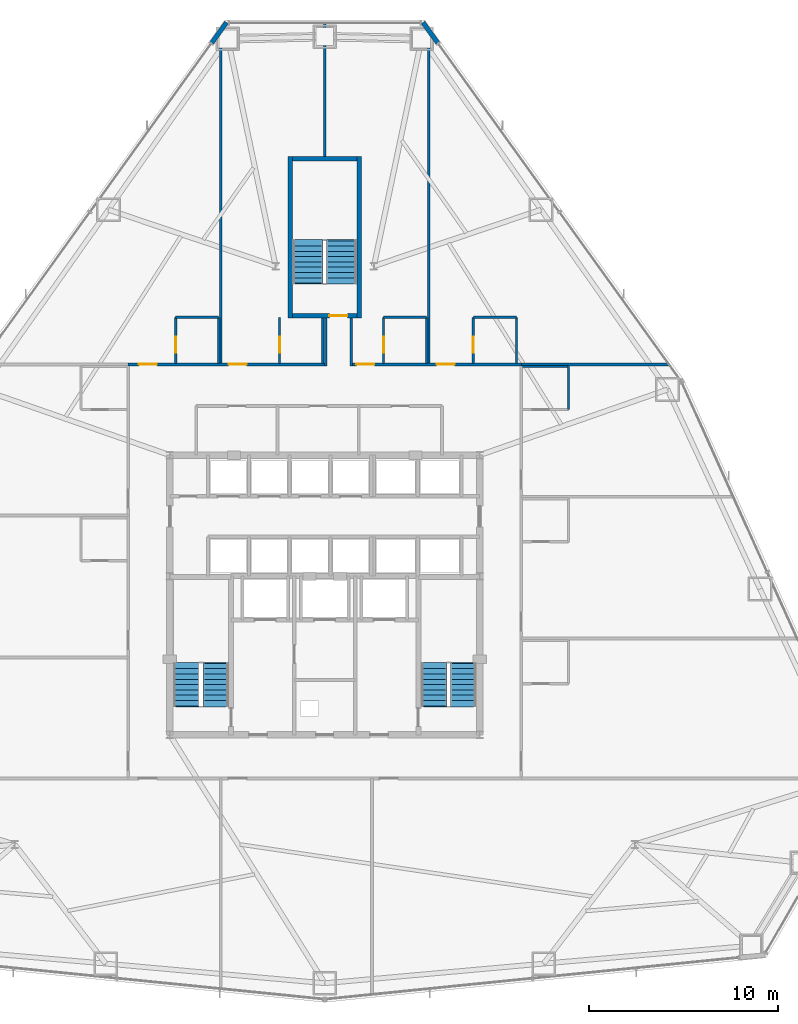
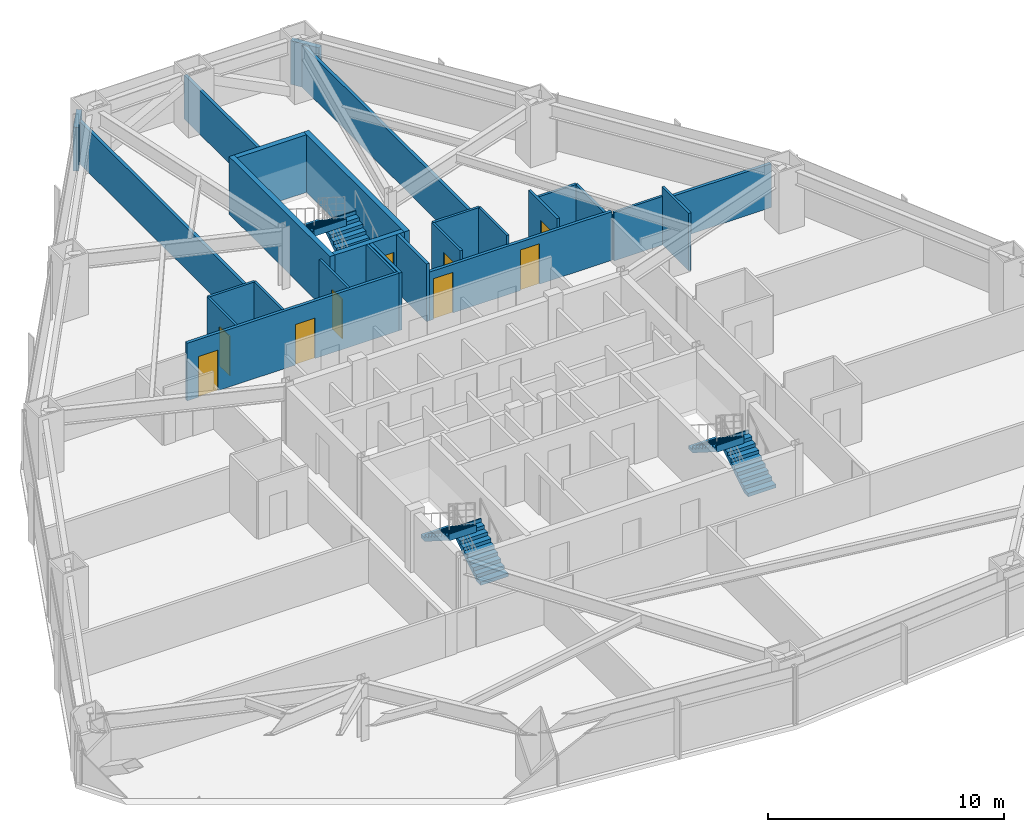
# One storey, part 11 of 12: 27 walls, 9 doors, 6 stair flights, 9 openings, 3 elements without a shape of their own.
"""IFC4 building model written with IfcOpenShell, lengths in metres."""

import ifcopenshell
import ifcopenshell.guid

model = None  # the IFC model being written
_history = None  # IfcOwnerHistory: only IFC2X3 demands one
_inside = {}  # id of a spatial element -> (the spatial element, [elements in it])
_under = {}  # id of a project, library or spatial element -> (it, [spatial elements below it])
_declared = {}  # id of a project -> (the project, [libraries it declares])
_typed = {}  # id of a type object -> (the type object, [elements of that type])
_made_of = {}  # id of a material, layer set ... -> (it, [elements and type objects made of it])


def new_model(schema):
    """Start an empty IFC model of exactly this schema.

    Asked for "IFC4X3", IfcOpenShell would pick the latest addendum, in which some entities
    have other attributes; the version numbers below select the first issue.
    IFC2X3 requires an IfcOwnerHistory on every rooted entity: one is made here for all.
    """
    global model, _history
    if schema == "IFC4X3":
        model = ifcopenshell.file(schema_version=(4, 3, 0, 0))
    else:
        model = ifcopenshell.file(schema=schema)
    _inside.clear()
    _under.clear()
    _declared.clear()
    _typed.clear()
    _made_of.clear()
    _history = None
    if model.schema == "IFC2X3":
        org = make("IfcOrganization", Name="unknown")
        user = make(
            "IfcPersonAndOrganization",
            ThePerson=make("IfcPerson", FamilyName="unknown"),
            TheOrganization=org,
        )
        app = make(
            "IfcApplication",
            ApplicationDeveloper=org,
            Version="unknown",
            ApplicationFullName="unknown",
            ApplicationIdentifier="unknown",
        )
        _history = make(
            "IfcOwnerHistory",
            OwningUser=user,
            OwningApplication=app,
            ChangeAction="ADDED",
            CreationDate=0,
        )
    return model


def make(cls, **values):
    """One entity of the class cls with the attributes given. An attribute that is None is left unset."""
    return model.create_entity(
        cls, **{name: value for name, value in values.items() if value is not None}
    )


def rooted(cls, **values):
    """An entity with a GlobalId (a new one), such as an element, a storey or a relation."""
    return make(cls, GlobalId=ifcopenshell.guid.new(), OwnerHistory=_history, **values)


def si_unit(unit_type, name, prefix=None):
    """IfcSIUnit, for example si_unit("LENGTHUNIT", "METRE", prefix="MILLI")."""
    return make("IfcSIUnit", UnitType=unit_type, Prefix=prefix, Name=name)


def assignment(units):
    """IfcUnitAssignment: the units of a project."""
    return None if units is None else make("IfcUnitAssignment", Units=units)


def point(xyz):
    """IfcCartesianPoint."""
    return None if xyz is None else make("IfcCartesianPoint", Coordinates=xyz)


def direction(xyz):
    """IfcDirection."""
    return None if xyz is None else make("IfcDirection", DirectionRatios=xyz)


def frame(location, z_axis=None, x_axis=None):
    """IfcAxis2Placement3D, a coordinate frame: its origin and axes. An axis left out is left unset."""
    return make(
        "IfcAxis2Placement3D",
        Location=point(location),
        Axis=direction(z_axis),
        RefDirection=direction(x_axis),
    )


def frame_2d(location, x_axis=None):
    """IfcAxis2Placement2D, a coordinate frame in the plane: its origin and x axis."""
    return make(
        "IfcAxis2Placement2D", Location=point(location), RefDirection=direction(x_axis)
    )


def origin():
    """The frame at (0, 0, 0) with its axes left unset."""
    return frame((0.0, 0.0, 0.0))


def place(relative_to, where):
    """IfcLocalPlacement: puts the frame where relative to a parent placement (None: the world)."""
    return make(
        "IfcLocalPlacement", PlacementRelTo=relative_to, RelativePlacement=where
    )


def context(
    kind, dimensions, precision=None, world=None, true_north=None, identifier=None
):
    """IfcGeometricRepresentationContext, for example the 3D "Model" context."""
    return make(
        "IfcGeometricRepresentationContext",
        ContextIdentifier=identifier,
        ContextType=kind,
        CoordinateSpaceDimension=dimensions,
        Precision=precision,
        WorldCoordinateSystem=world,
        TrueNorth=true_north,
    )


def subcontext(parent, identifier, kind, view, scale=None):
    """IfcGeometricRepresentationSubContext, for example "Body" below "Model"."""
    return make(
        "IfcGeometricRepresentationSubContext",
        ContextIdentifier=identifier,
        ContextType=kind,
        ParentContext=parent,
        TargetScale=scale,
        TargetView=view,
    )


def project(units=None, contexts=None):
    """IfcProject with its units and contexts."""
    return rooted(
        "IfcProject",
        Name="project",
        RepresentationContexts=contexts,
        UnitsInContext=assignment(units),
    )


def spatial(cls, under=None, at=None, **own):
    """A site, building, storey or space (cls), placed at a placement, below another one or the project."""
    s = rooted(cls, ObjectPlacement=at, **own)
    if under is not None:
        _under.setdefault(under.id(), (under, []))[1].append(s)
    return s


def polyline(points):
    """IfcPolyline through the points."""
    return make("IfcPolyline", Points=[point(p) for p in points])


def profile(cls, at=None, kind="AREA", **sizes):
    """A parametric profile (cls). Its sizes go by their IFC names, for example OverallWidth=200.0."""
    return make(cls, ProfileType=kind, Position=at, **sizes)


def rectangle(**sizes):
    """IfcRectangleProfileDef."""
    return profile("IfcRectangleProfileDef", **sizes)


def outline(outer, holes=None, kind="AREA"):
    """IfcArbitraryClosedProfileDef: a profile drawn as a closed curve; with holes, ...WithVoids."""
    if holes is None:
        return make("IfcArbitraryClosedProfileDef", ProfileType=kind, OuterCurve=outer)
    return make(
        "IfcArbitraryProfileDefWithVoids",
        ProfileType=kind,
        OuterCurve=outer,
        InnerCurves=holes,
    )


def extrude(swept, where, along, depth):
    """IfcExtrudedAreaSolid: the profile swept, set in the frame where, extruded along a direction by depth."""
    return make(
        "IfcExtrudedAreaSolid",
        SweptArea=swept,
        Position=where,
        ExtrudedDirection=direction(along),
        Depth=depth,
    )


def shape(context_of_items, identifier, shape_type, items):
    """IfcShapeRepresentation: the items that make up one representation, for example the "Body"."""
    return make(
        "IfcShapeRepresentation",
        ContextOfItems=context_of_items,
        RepresentationIdentifier=identifier,
        RepresentationType=shape_type,
        Items=items,
    )


def material(Name=None, Category=None):
    """IfcMaterial."""
    return make("IfcMaterial", Name=Name, Category=Category)


def layer(
    of_material, thickness, ventilated=None, Name=None, Category=None, Priority=None
):
    """IfcMaterialLayer: one layer of a wall or slab, of a material (None: an air gap)."""
    return make(
        "IfcMaterialLayer",
        Material=of_material,
        LayerThickness=thickness,
        IsVentilated=ventilated,
        Name=Name,
        Category=Category,
        Priority=Priority,
    )


def layer_set(layers, Name=None):
    """IfcMaterialLayerSet."""
    return make("IfcMaterialLayerSet", MaterialLayers=layers, LayerSetName=Name)


def made_of(thing, what):
    """Note that an element or type object is made of a material, layer set ...; save() writes the relation."""
    if what is not None:
        _made_of.setdefault(what.id(), (what, []))[1].append(thing)
    return thing


def type_object(cls, material=None, **own):
    """A type object (cls), such as IfcWallType, which elements share."""
    return made_of(rooted(cls, **own), material)


def element(
    cls,
    number,
    at=None,
    inside=None,
    cuts=None,
    type_object=None,
    material=None,
    context=None,
    identifier="Body",
    shape_type=None,
    held_by="IfcProductDefinitionShape",
    body=None,
    shapes=None,
    **own,
):
    """One element of the class cls, such as IfcWall. Its Tag is "e" and its number.

    at: its placement. inside: the storey or other place that contains it. cuts: it is an
    opening in that element (IfcRelVoidsElement). A single representation is given by context,
    identifier, shape_type and body (its items); several are given by shapes. held_by: the class
    of the entity that holds the representations. save() writes the other relations.
    """
    e = rooted(cls, Tag="e%d" % number, ObjectPlacement=at, **own)
    if body is not None:
        shapes = [shape(context, identifier, shape_type, body)]
    if shapes is not None:
        e.Representation = make(held_by, Representations=shapes)
    if inside is not None:
        _inside.setdefault(inside.id(), (inside, []))[1].append(e)
    if cuts is not None:
        rooted(
            "IfcRelVoidsElement", RelatingBuildingElement=cuts, RelatedOpeningElement=e
        )
    if type_object is not None:
        _typed.setdefault(type_object.id(), (type_object, []))[1].append(e)
    return made_of(e, material)


def fill(opening, filler):
    """IfcRelFillsElement: the door or window that sits in an opening."""
    return rooted(
        "IfcRelFillsElement",
        RelatingOpeningElement=opening,
        RelatedBuildingElement=filler,
    )


def aggregate(whole, parts):
    """IfcRelAggregates: a whole, such as a stair, and the parts it consists of."""
    return rooted("IfcRelAggregates", RelatingObject=whole, RelatedObjects=parts)


def save(model, path):
    """Write the relations noted so far, then the file.

    IfcRelAggregates (storeys below a building ...), IfcRelContainedInSpatialStructure (elements
    in a storey), IfcRelDefinesByType, IfcRelAssociatesMaterial and IfcRelDeclares: one each for
    every whole, place, type object, material and project.
    """
    for whole, parts in _under.values():
        aggregate(whole, parts)
    for where, things in _inside.values():
        rooted(
            "IfcRelContainedInSpatialStructure",
            RelatedElements=things,
            RelatingStructure=where,
        )
    for kind, things in _typed.values():
        rooted("IfcRelDefinesByType", RelatedObjects=things, RelatingType=kind)
    for what, things in _made_of.values():
        rooted("IfcRelAssociatesMaterial", RelatedObjects=things, RelatingMaterial=what)
    for by, libraries in _declared.values():
        rooted("IfcRelDeclares", RelatingContext=by, RelatedDefinitions=libraries)
    model.write(path)


model = new_model("IFC4")

# Units and contexts
model_context = context("Model", 3, precision=1e-05, world=origin(), true_north=direction((0.0, 1.0)))
body_context = subcontext(model_context, "Body", "Model", "MODEL_VIEW")
ifc_project = project(units=[si_unit("LENGTHUNIT", "METRE"), si_unit("AREAUNIT", "SQUARE_METRE"), si_unit("VOLUMEUNIT", "CUBIC_METRE"), si_unit("PLANEANGLEUNIT", "RADIAN"), si_unit("MASSUNIT", "GRAM", prefix="KILO")], contexts=[model_context])

# Site, building, storey
site_placement = place(None, origin())
site = spatial("IfcSite", under=ifc_project, at=site_placement, CompositionType="ELEMENT")
building_placement = place(site_placement, origin())
building = spatial("IfcBuilding", under=site, at=building_placement, Name="Varakhsha Concourse Tower", CompositionType="ELEMENT")
storey_placement = place(building_placement, frame((0.0, 0.0, 33.60009765625)))
storey = spatial("IfcBuildingStorey", under=building, at=storey_placement, Name="L08", CompositionType="ELEMENT", Elevation=33.60009765625)

# Walls
ifc_material_1 = material(Name="Concrete fc 45 MPa", Category="concrete")
ifc_layer_1 = layer(ifc_material_1, 0.239990234375, Name="WL-EXT-CRN-240")
ifc_layer_set_1 = layer_set([ifc_layer_1], Name="Concrete fc 45 MPa")
wall_type_1 = type_object("IfcWallType", Name="WL-EXT-CRN-240", PredefinedType="SHEAR", material=ifc_layer_set_1)
for number, where, z_axis, x_axis, name in (
    (1, (34.8017578125, 54.087646484375, 0.0), (0.0, 0.0, 1.0), (-0.584193864266, -0.811614150292, 0.0), "L08 Wind-Corner Shoulder Wall F2"),
    (2, (45.977783203125, 53.004638671875, 0.0), (0.0, 0.0, 1.0), (-0.584193864266, 0.811614150292, 0.0), "L08 Wind-Corner Shoulder Wall F9"),
):
    element("IfcWall", number, at=place(storey_placement, frame(where, z_axis=z_axis, x_axis=x_axis)), inside=storey, type_object=wall_type_1, Name=name, PredefinedType="SHEAR", context=body_context, shape_type="SweptSolid", body=[
        extrude(rectangle(XDim=1.33447265625, YDim=0.239990234375, at=frame_2d((0.667236328125, 0.0))), origin(), (0.0, 0.0, 1.0), 2.262939453125),
    ])
ifc_material_2 = material(Name="Acoustic Gypsum Board Partition Assembly", Category="gypsum")
ifc_layer_2 = layer(ifc_material_2, 0.1201171875, Name="WL-PART-120")
ifc_layer_set_2 = layer_set([ifc_layer_2], Name="Acoustic Gypsum Board Partition Assembly")
wall_type_2 = type_object("IfcWallType", Name="WL-PART-120", PredefinedType="PARTITIONING", material=ifc_layer_set_2)
wall_1_placement = place(storey_placement, frame((52.889892578125, 33.610107421875, 0.0), z_axis=(0.0, 0.0, 1.0), x_axis=(0.0, 1.0, 0.0)))
element("IfcWall", 3, at=wall_1_placement, inside=storey, type_object=wall_type_2, Name="L08 Wall ENSW-E-L08-H09", PredefinedType="PARTITIONING", context=body_context, shape_type="SweptSolid", body=[
    extrude(rectangle(XDim=2.27978515625, YDim=0.1201171875, at=frame_2d((1.139892578125, 0.0))), origin(), (0.0, 0.0, 1.0), 2.97998046875),
])
wall_2_placement = place(storey_placement, frame((50.4599609375, 35.889892578125, 0.0), z_axis=(0.0, 0.0, 1.0), x_axis=(1.0, 0.0, 0.0)))
element("IfcWall", 4, at=wall_2_placement, inside=storey, type_object=wall_type_2, Name="L08 Wall ENSW-N-L08-H09", PredefinedType="PARTITIONING", context=body_context, shape_type="SweptSolid", body=[
    extrude(rectangle(XDim=2.429931640625, YDim=0.1201171875, at=frame_2d((1.21484375, 0.0))), origin(), (0.0, 0.0, 1.0), 2.512939453125),
])

# Wall, opening, door
wall_3_placement = place(storey_placement, frame((32.110107421875, 36.06005859375, 0.0), z_axis=(0.0, 0.0, 1.0), x_axis=(0.0, 1.0, 0.0)))
wall_3 = element("IfcWall", 5, at=wall_3_placement, inside=storey, type_object=wall_type_2, Name="L08 Wall ENSW-W-L08-H10", PredefinedType="PARTITIONING", context=body_context, shape_type="SweptSolid", body=[
    extrude(rectangle(XDim=2.429931640625, YDim=0.1201171875, at=frame_2d((1.21484375, 0.0))), origin(), (0.0, 0.0, 1.0), 2.97998046875),
])
opening_1_placement = place(wall_3_placement, frame((0.550048828125, 0.0, 0.0)))
opening_1 = element("IfcOpeningElement", 6, at=opening_1_placement, cuts=wall_3, Name="Opening DI-01", PredefinedType="OPENING", context=body_context, shape_type="SweptSolid", body=[
    extrude(rectangle(XDim=0.85009765625, YDim=2.050048828125, at=frame_2d((0.425048828125, 1.02490234375))), frame((0.0, 0.070068359375, 0.0), z_axis=(0.0, -1.0, 0.0), x_axis=(1.0, 0.0, 0.0)), (0.0, 0.0, 1.0), 0.14013671875),
])
ifc_material_3 = material(Name="Architectural Walnut Acoustic Timber Door", Category="wood")
door_type_1 = type_object("IfcDoorType", Name="DR-INT-850", OperationType="NOTDEFINED", PredefinedType="DOOR", material=ifc_material_3)
door_1_placement = place(opening_1_placement, origin())
door_1 = element("IfcDoor", 7, at=door_1_placement, inside=storey, type_object=door_type_1, Name="L08 En-suite Bathroom Door L08-H10", OperationType="SINGLE_SWING_RIGHT", OverallHeight=2.050048828125, OverallWidth=0.85009765625, PredefinedType="DOOR", context=body_context, shape_type="SweptSolid", body=[
    extrude(rectangle(XDim=0.85009765625, YDim=2.050048828125, at=frame_2d((0.425048828125, 1.02490234375))), frame((0.0, 0.02490234375, 0.0), z_axis=(0.0, -1.0, 0.0), x_axis=(1.0, 0.0, 0.0)), (0.0, 0.0, 1.0), 0.050048828125),
])
fill(opening_1, door_1)

# Walls
wall_4_placement = place(storey_placement, frame((34.389892578125, 36.06005859375, 0.0), z_axis=(0.0, 0.0, 1.0), x_axis=(0.0, 1.0, 0.0)))
element("IfcWall", 8, at=wall_4_placement, inside=storey, type_object=wall_type_2, Name="L08 Wall ENSW-E-L08-H10", PredefinedType="PARTITIONING", context=body_context, shape_type="SweptSolid", body=[
    extrude(rectangle(XDim=2.429931640625, YDim=0.1201171875, at=frame_2d((1.21484375, 0.0))), origin(), (0.0, 0.0, 1.0), 2.97998046875),
])
wall_5_placement = place(storey_placement, frame((32.110107421875, 38.489990234375, 0.0), z_axis=(0.0, 0.0, 1.0), x_axis=(1.0, 0.0, 0.0)))
element("IfcWall", 9, at=wall_5_placement, inside=storey, type_object=wall_type_2, Name="L08 Wall ENSW-N-L08-H10", PredefinedType="PARTITIONING", context=body_context, shape_type="SweptSolid", body=[
    extrude(rectangle(XDim=2.27978515625, YDim=0.1201171875, at=frame_2d((1.139892578125, 0.0))), origin(), (0.0, 0.0, 1.0), 2.97998046875),
])

# Wall, opening, door
wall_6_placement = place(storey_placement, frame((37.610107421875, 36.06005859375, 0.0), z_axis=(0.0, 0.0, 1.0), x_axis=(0.0, 1.0, 0.0)))
wall_6 = element("IfcWall", 10, at=wall_6_placement, inside=storey, type_object=wall_type_2, Name="L08 Wall ENSW-W-L08-H11", PredefinedType="PARTITIONING", context=body_context, shape_type="SweptSolid", body=[
    extrude(rectangle(XDim=2.429931640625, YDim=0.1201171875, at=frame_2d((1.21484375, 0.0))), origin(), (0.0, 0.0, 1.0), 2.97998046875),
])
opening_2_placement = place(wall_6_placement, frame((0.550048828125, 0.0, 0.0)))
opening_2 = element("IfcOpeningElement", 11, at=opening_2_placement, cuts=wall_6, Name="Opening DI-01", PredefinedType="OPENING", context=body_context, shape_type="SweptSolid", body=[
    extrude(rectangle(XDim=0.85009765625, YDim=2.050048828125, at=frame_2d((0.425048828125, 1.02490234375))), frame((0.0, 0.070068359375, 0.0), z_axis=(0.0, -1.0, 0.0), x_axis=(1.0, 0.0, 0.0)), (0.0, 0.0, 1.0), 0.14013671875),
])
door_2_placement = place(opening_2_placement, origin())
door_2 = element("IfcDoor", 12, at=door_2_placement, inside=storey, type_object=door_type_1, Name="L08 En-suite Bathroom Door L08-H11", OperationType="SINGLE_SWING_RIGHT", OverallHeight=2.050048828125, OverallWidth=0.85009765625, PredefinedType="DOOR", context=body_context, shape_type="SweptSolid", body=[
    extrude(rectangle(XDim=0.85009765625, YDim=2.050048828125, at=frame_2d((0.425048828125, 1.02490234375))), frame((0.0, 0.02490234375, 0.0), z_axis=(0.0, -1.0, 0.0), x_axis=(1.0, 0.0, 0.0)), (0.0, 0.0, 1.0), 0.050048828125),
])
fill(opening_2, door_2)

# Wall
wall_7_placement = place(storey_placement, frame((39.889892578125, 36.06005859375, 0.0), z_axis=(0.0, 0.0, 1.0), x_axis=(0.0, 1.0, 0.0)))
element("IfcWall", 13, at=wall_7_placement, inside=storey, type_object=wall_type_2, Name="L08 Wall ENSW-E-L08-H11", PredefinedType="PARTITIONING", context=body_context, shape_type="SweptSolid", body=[
    extrude(rectangle(XDim=2.389892578125, YDim=0.1201171875, at=frame_2d((1.19482421875, 0.0))), origin(), (0.0, 0.0, 1.0), 2.97998046875),
])

# Wall, opening, door
wall_8_placement = place(storey_placement, frame((43.110107421875, 36.06005859375, 0.0), z_axis=(0.0, 0.0, 1.0), x_axis=(0.0, 1.0, 0.0)))
wall_8 = element("IfcWall", 14, at=wall_8_placement, inside=storey, type_object=wall_type_2, Name="L08 Wall ENSW-W-L08-H12", PredefinedType="PARTITIONING", context=body_context, shape_type="SweptSolid", body=[
    extrude(rectangle(XDim=2.429931640625, YDim=0.1201171875, at=frame_2d((1.21484375, 0.0))), origin(), (0.0, 0.0, 1.0), 2.97998046875),
])
opening_3_placement = place(wall_8_placement, frame((0.550048828125, 0.0, 0.0)))
opening_3 = element("IfcOpeningElement", 15, at=opening_3_placement, cuts=wall_8, Name="Opening DI-01", PredefinedType="OPENING", context=body_context, shape_type="SweptSolid", body=[
    extrude(rectangle(XDim=0.85009765625, YDim=2.050048828125, at=frame_2d((0.425048828125, 1.02490234375))), frame((0.0, 0.070068359375, 0.0), z_axis=(0.0, -1.0, 0.0), x_axis=(1.0, 0.0, 0.0)), (0.0, 0.0, 1.0), 0.14013671875),
])
door_3_placement = place(opening_3_placement, origin())
door_3 = element("IfcDoor", 16, at=door_3_placement, inside=storey, type_object=door_type_1, Name="L08 En-suite Bathroom Door L08-H12", OperationType="SINGLE_SWING_RIGHT", OverallHeight=2.050048828125, OverallWidth=0.85009765625, PredefinedType="DOOR", context=body_context, shape_type="SweptSolid", body=[
    extrude(rectangle(XDim=0.85009765625, YDim=2.050048828125, at=frame_2d((0.425048828125, 1.02490234375))), frame((0.0, 0.02490234375, 0.0), z_axis=(0.0, -1.0, 0.0), x_axis=(1.0, 0.0, 0.0)), (0.0, 0.0, 1.0), 0.050048828125),
])
fill(opening_3, door_3)

# Walls
wall_9_placement = place(storey_placement, frame((45.389892578125, 36.06005859375, 0.0), z_axis=(0.0, 0.0, 1.0), x_axis=(0.0, 1.0, 0.0)))
element("IfcWall", 17, at=wall_9_placement, inside=storey, type_object=wall_type_2, Name="L08 Wall ENSW-E-L08-H12", PredefinedType="PARTITIONING", context=body_context, shape_type="SweptSolid", body=[
    extrude(rectangle(XDim=2.429931640625, YDim=0.1201171875, at=frame_2d((1.21484375, 0.0))), origin(), (0.0, 0.0, 1.0), 2.97998046875),
])
wall_10_placement = place(storey_placement, frame((43.110107421875, 38.489990234375, 0.0), z_axis=(0.0, 0.0, 1.0), x_axis=(1.0, 0.0, 0.0)))
element("IfcWall", 18, at=wall_10_placement, inside=storey, type_object=wall_type_2, Name="L08 Wall ENSW-N-L08-H12", PredefinedType="PARTITIONING", context=body_context, shape_type="SweptSolid", body=[
    extrude(rectangle(XDim=2.27978515625, YDim=0.1201171875, at=frame_2d((1.139892578125, 0.0))), origin(), (0.0, 0.0, 1.0), 2.97998046875),
])

# Wall, opening, door
wall_11_placement = place(storey_placement, frame((47.860107421875, 36.06005859375, 0.0), z_axis=(0.0, 0.0, 1.0), x_axis=(0.0, 1.0, 0.0)))
wall_11 = element("IfcWall", 19, at=wall_11_placement, inside=storey, type_object=wall_type_2, Name="L08 Wall ENSW-W-L08-H13", PredefinedType="PARTITIONING", context=body_context, shape_type="SweptSolid", body=[
    extrude(rectangle(XDim=2.429931640625, YDim=0.1201171875, at=frame_2d((1.21484375, 0.0))), origin(), (0.0, 0.0, 1.0), 2.97998046875),
])
opening_4_placement = place(wall_11_placement, frame((0.550048828125, 0.0, 0.0)))
opening_4 = element("IfcOpeningElement", 20, at=opening_4_placement, cuts=wall_11, Name="Opening DI-01", PredefinedType="OPENING", context=body_context, shape_type="SweptSolid", body=[
    extrude(rectangle(XDim=0.85009765625, YDim=2.050048828125, at=frame_2d((0.425048828125, 1.02490234375))), frame((0.0, 0.070068359375, 0.0), z_axis=(0.0, -1.0, 0.0), x_axis=(1.0, 0.0, 0.0)), (0.0, 0.0, 1.0), 0.14013671875),
])
door_4_placement = place(opening_4_placement, origin())
door_4 = element("IfcDoor", 21, at=door_4_placement, inside=storey, type_object=door_type_1, Name="L08 En-suite Bathroom Door L08-H13", OperationType="SINGLE_SWING_RIGHT", OverallHeight=2.050048828125, OverallWidth=0.85009765625, PredefinedType="DOOR", context=body_context, shape_type="SweptSolid", body=[
    extrude(rectangle(XDim=0.85009765625, YDim=2.050048828125, at=frame_2d((0.425048828125, 1.02490234375))), frame((0.0, 0.02490234375, 0.0), z_axis=(0.0, -1.0, 0.0), x_axis=(1.0, 0.0, 0.0)), (0.0, 0.0, 1.0), 0.050048828125),
])
fill(opening_4, door_4)

# Walls
wall_12_placement = place(storey_placement, frame((50.139892578125, 36.06005859375, 0.0), z_axis=(0.0, 0.0, 1.0), x_axis=(0.0, 1.0, 0.0)))
element("IfcWall", 22, at=wall_12_placement, inside=storey, type_object=wall_type_2, Name="L08 Wall ENSW-E-L08-H13", PredefinedType="PARTITIONING", context=body_context, shape_type="SweptSolid", body=[
    extrude(rectangle(XDim=2.429931640625, YDim=0.1201171875, at=frame_2d((1.21484375, 0.0))), origin(), (0.0, 0.0, 1.0), 2.512939453125),
])
wall_13_placement = place(storey_placement, frame((47.860107421875, 38.489990234375, 0.0), z_axis=(0.0, 0.0, 1.0), x_axis=(1.0, 0.0, 0.0)))
element("IfcWall", 23, at=wall_13_placement, inside=storey, type_object=wall_type_2, Name="L08 Wall ENSW-N-L08-H13", PredefinedType="PARTITIONING", context=body_context, shape_type="SweptSolid", body=[
    extrude(rectangle(XDim=2.27978515625, YDim=0.1201171875, at=frame_2d((1.139892578125, 0.0))), origin(), (0.0, 0.0, 1.0), 2.512939453125),
])

# Wall, openings, doors
ifc_material_4 = material(Name="Fire-Rated Type X Gypsum Partition Assembly", Category="gypsum")
ifc_layer_3 = layer(ifc_material_4, 0.14990234375, Name="WL-PART-150")
ifc_layer_set_3 = layer_set([ifc_layer_3], Name="Fire-Rated Type X Gypsum Partition Assembly")
wall_type_3 = type_object("IfcWallType", Name="WL-PART-150", PredefinedType="PARTITIONING", material=ifc_layer_set_3)
wall_14_placement = place(storey_placement, frame((29.60009765625, 36.0, 0.0), z_axis=(0.0, 0.0, 1.0), x_axis=(1.0, 0.0, 0.0)))
wall_14 = element("IfcWall", 24, at=wall_14_placement, inside=storey, type_object=wall_type_3, Name="L08 Wall CRW-N-L08", PredefinedType="PARTITIONING", context=body_context, shape_type="SweptSolid", body=[
    extrude(rectangle(XDim=10.375, YDim=0.14990234375, at=frame_2d((5.1875, 0.0))), origin(), (0.0, 0.0, 1.0), 2.97998046875),
])
opening_5_placement = place(wall_14_placement, frame((0.570068359375, 0.0, 0.0)))
opening_5 = element("IfcOpeningElement", 25, at=opening_5_placement, cuts=wall_14, Name="Opening DF-05", PredefinedType="OPENING", context=body_context, shape_type="SweptSolid", body=[
    extrude(rectangle(XDim=0.949951171875, YDim=2.10009765625, at=frame_2d((0.47509765625, 1.050048828125))), frame((0.0, 0.0849609375, 0.0), z_axis=(0.0, -1.0, 0.0), x_axis=(1.0, 0.0, 0.0)), (0.0, 0.0, 1.0), 0.169921875),
])
opening_6_placement = place(wall_14_placement, frame((5.320068359375, 0.0, 0.0)))
opening_6 = element("IfcOpeningElement", 26, at=opening_6_placement, cuts=wall_14, Name="Opening DF-05", PredefinedType="OPENING", context=body_context, shape_type="SweptSolid", body=[
    extrude(rectangle(XDim=0.949951171875, YDim=2.10009765625, at=frame_2d((0.47509765625, 1.050048828125))), frame((0.0, 0.0849609375, 0.0), z_axis=(0.0, -1.0, 0.0), x_axis=(1.0, 0.0, 0.0)), (0.0, 0.0, 1.0), 0.169921875),
])
ifc_material_5 = material(Name="Hollow Galvanised Steel Fire Door Assembly", Category="steel")
door_type_2 = type_object("IfcDoorType", Name="DR-FD60-950", OperationType="NOTDEFINED", PredefinedType="DOOR", material=ifc_material_5)
door_5_placement = place(opening_5_placement, origin())
door_5 = element("IfcDoor", 27, at=door_5_placement, inside=storey, type_object=door_type_2, Name="L08 Hotel Corner Suite L08-H10 Entry Door", OperationType="SINGLE_SWING_RIGHT", OverallHeight=2.10009765625, OverallWidth=0.949951171875, PredefinedType="DOOR", context=body_context, shape_type="SweptSolid", body=[
    extrude(rectangle(XDim=0.949951171875, YDim=2.10009765625, at=frame_2d((0.47509765625, 1.050048828125))), frame((0.0, 0.02490234375, 0.0), z_axis=(0.0, -1.0, 0.0), x_axis=(1.0, 0.0, 0.0)), (0.0, 0.0, 1.0), 0.050048828125),
])
fill(opening_5, door_5)
door_6_placement = place(opening_6_placement, origin())
door_6 = element("IfcDoor", 28, at=door_6_placement, inside=storey, type_object=door_type_2, Name="L08 Hotel Corner Suite L08-H11 Entry Door", OperationType="SINGLE_SWING_LEFT", OverallHeight=2.10009765625, OverallWidth=0.949951171875, PredefinedType="DOOR", context=body_context, shape_type="SweptSolid", body=[
    extrude(rectangle(XDim=0.949951171875, YDim=2.10009765625, at=frame_2d((0.47509765625, 1.050048828125))), frame((0.0, 0.02490234375, 0.0), z_axis=(0.0, -1.0, 0.0), x_axis=(1.0, 0.0, 0.0)), (0.0, 0.0, 1.0), 0.050048828125),
])
fill(opening_6, door_6)

wall_15_placement = place(storey_placement, frame((41.47509765625, 36.0, 0.0), z_axis=(0.0, 0.0, 1.0), x_axis=(1.0, 0.0, 0.0)))
wall_15 = element("IfcWall", 29, at=wall_15_placement, inside=storey, type_object=wall_type_3, Name="L08 Wall CRW-N-L08-B", PredefinedType="PARTITIONING", context=body_context, shape_type="SweptSolid", body=[
    extrude(rectangle(XDim=8.9248046875, YDim=0.14990234375, at=frame_2d((4.46240234375, 0.0))), origin(), (0.0, 0.0, 1.0), 2.512939453125),
])
opening_7_placement = place(wall_15_placement, frame((0.199951171875, 0.0, 0.0)))
opening_7 = element("IfcOpeningElement", 30, at=opening_7_placement, cuts=wall_15, Name="Opening DF-05", PredefinedType="OPENING", context=body_context, shape_type="SweptSolid", body=[
    extrude(rectangle(XDim=0.949951171875, YDim=2.10009765625, at=frame_2d((0.47509765625, 1.050048828125))), frame((0.0, 0.0849609375, 0.0), z_axis=(0.0, -1.0, 0.0), x_axis=(1.0, 0.0, 0.0)), (0.0, 0.0, 1.0), 0.169921875),
])
opening_8_placement = place(wall_15_placement, frame((4.445068359375, 0.0, 0.0)))
opening_8 = element("IfcOpeningElement", 31, at=opening_8_placement, cuts=wall_15, Name="Opening DF-05", PredefinedType="OPENING", context=body_context, shape_type="SweptSolid", body=[
    extrude(rectangle(XDim=0.949951171875, YDim=2.10009765625, at=frame_2d((0.47509765625, 1.050048828125))), frame((0.0, 0.0849609375, 0.0), z_axis=(0.0, -1.0, 0.0), x_axis=(1.0, 0.0, 0.0)), (0.0, 0.0, 1.0), 0.169921875),
])
door_7_placement = place(opening_7_placement, origin())
door_7 = element("IfcDoor", 32, at=door_7_placement, inside=storey, type_object=door_type_2, Name="L08 Hotel Corner Suite L08-H12 Entry Door", OperationType="SINGLE_SWING_RIGHT", OverallHeight=2.10009765625, OverallWidth=0.949951171875, PredefinedType="DOOR", context=body_context, shape_type="SweptSolid", body=[
    extrude(rectangle(XDim=0.949951171875, YDim=2.10009765625, at=frame_2d((0.47509765625, 1.050048828125))), frame((0.0, 0.02490234375, 0.0), z_axis=(0.0, -1.0, 0.0), x_axis=(1.0, 0.0, 0.0)), (0.0, 0.0, 1.0), 0.050048828125),
])
fill(opening_7, door_7)
door_8_placement = place(opening_8_placement, origin())
door_8 = element("IfcDoor", 33, at=door_8_placement, inside=storey, type_object=door_type_2, Name="L08 Hotel Corner Suite L08-H13 Entry Door", OperationType="SINGLE_SWING_LEFT", OverallHeight=2.10009765625, OverallWidth=0.949951171875, PredefinedType="DOOR", context=body_context, shape_type="SweptSolid", body=[
    extrude(rectangle(XDim=0.949951171875, YDim=2.10009765625, at=frame_2d((0.47509765625, 1.050048828125))), frame((0.0, 0.02490234375, 0.0), z_axis=(0.0, -1.0, 0.0), x_axis=(1.0, 0.0, 0.0)), (0.0, 0.0, 1.0), 0.050048828125),
])
fill(opening_8, door_8)

# Walls
wall_16_placement = place(storey_placement, frame((50.39990234375, 36.0, 0.0), z_axis=(0.0, 0.0, 1.0), x_axis=(1.0, 0.0, 0.0)))
element("IfcWall", 34, at=wall_16_placement, inside=storey, type_object=wall_type_3, Name="L08 Wall HDIV-EBN-L08", PredefinedType="PARTITIONING", context=body_context, shape_type="SweptSolid", body=[
    extrude(rectangle(XDim=7.814453125, YDim=0.14990234375, at=frame_2d((3.9072265625, 0.0))), origin(), (0.0, 0.0, 1.0), 2.267822265625),
])
wall_17_placement = place(storey_placement, frame((34.5, 36.0, 0.0), z_axis=(0.0, 0.0, 1.0), x_axis=(0.0, 1.0, 0.0)))
element("IfcWall", 35, at=wall_17_placement, inside=storey, type_object=wall_type_3, Name="L08 Wall HDIV-N1-L08", PredefinedType="PARTITIONING", context=body_context, shape_type="SweptSolid", body=[
    extrude(rectangle(XDim=17.659912109375, YDim=0.14990234375, at=frame_2d((8.830078125, 0.0))), origin(), (0.0, 0.0, 1.0), 2.19091796875),
])
wall_18_placement = place(storey_placement, frame((40.0, 47.0, 0.0), z_axis=(0.0, 0.0, 1.0), x_axis=(0.0, 1.0, 0.0)))
element("IfcWall", 36, at=wall_18_placement, inside=storey, type_object=wall_type_3, Name="L08 Wall HDIV-N2-L08", PredefinedType="PARTITIONING", context=body_context, shape_type="SweptSolid", body=[
    extrude(rectangle(XDim=7.05517578125, YDim=0.14990234375, at=frame_2d((3.527587890625, 0.0))), origin(), (0.0, 0.0, 1.0), 2.267822265625),
])
wall_19_placement = place(storey_placement, frame((45.5, 36.0, 0.0), z_axis=(0.0, 0.0, 1.0), x_axis=(0.0, 1.0, 0.0)))
element("IfcWall", 37, at=wall_19_placement, inside=storey, type_object=wall_type_3, Name="L08 Wall HDIV-N3-L08", PredefinedType="PARTITIONING", context=body_context, shape_type="SweptSolid", body=[
    extrude(rectangle(XDim=17.659912109375, YDim=0.14990234375, at=frame_2d((8.830078125, 0.0))), origin(), (0.0, 0.0, 1.0), 2.19091796875),
])
for number, where, z_axis, x_axis, name in (
    (38, (40.050048828125, 35.925048828125, 0.0), (0.0, 0.0, 1.0), (0.0, 1.0, 0.0), "L08 Wall STUB-W-L08"),
    (39, (41.39990234375, 35.925048828125, 0.0), (0.0, 0.0, 1.0), (0.0, 1.0, 0.0), "L08 Wall STUB-E-L08"),
):
    element("IfcWall", number, at=place(storey_placement, frame(where, z_axis=z_axis, x_axis=x_axis)), inside=storey, type_object=wall_type_3, Name=name, PredefinedType="PARTITIONING", context=body_context, shape_type="SweptSolid", body=[
        extrude(rectangle(XDim=2.52490234375, YDim=0.14990234375, at=frame_2d((1.262451171875, 0.0))), origin(), (0.0, 0.0, 1.0), 2.97998046875),
    ])
ifc_layer_4 = layer(ifc_material_1, 0.25, Name="WL-STAIR-250")
ifc_layer_set_4 = layer_set([ifc_layer_4], Name="Concrete fc 45 MPa")
wall_type_4 = type_object("IfcWallType", Name="WL-STAIR-250", PredefinedType="SHEAR", material=ifc_layer_set_4)
for number, where, z_axis, x_axis, name in (
    (40, (38.175048828125, 38.449951171875, 0.0), (0.0, 0.0, 1.0), (0.0, 1.0, 0.0), "L08 Wall SWALL-ST5-W-L08"),
    (41, (41.824951171875, 38.449951171875, 0.0), (0.0, 0.0, 1.0), (0.0, 1.0, 0.0), "L08 Wall SWALL-ST5-E-L08"),
):
    element("IfcWall", number, at=place(storey_placement, frame(where, z_axis=z_axis, x_axis=x_axis)), inside=storey, type_object=wall_type_4, Name=name, PredefinedType="SHEAR", context=body_context, shape_type="SweptSolid", body=[
        extrude(rectangle(XDim=8.550048828125, YDim=0.25, at=frame_2d((4.27490234375, 0.0))), origin(), (0.0, 0.0, 1.0), 2.97998046875),
    ])

# Wall, opening, door
wall_20_placement = place(storey_placement, frame((38.300048828125, 38.574951171875, 0.0), z_axis=(0.0, 0.0, 1.0), x_axis=(1.0, 0.0, 0.0)))
wall_20 = element("IfcWall", 42, at=wall_20_placement, inside=storey, type_object=wall_type_4, Name="L08 Wall SWALL-ST5-S-L08", PredefinedType="SHEAR", context=body_context, shape_type="SweptSolid", body=[
    extrude(rectangle(XDim=3.39990234375, YDim=0.25, at=frame_2d((1.699951171875, 0.0))), origin(), (0.0, 0.0, 1.0), 2.97998046875),
])
opening_9_placement = place(wall_20_placement, frame((1.949951171875, 0.0, 0.0)))
opening_9 = element("IfcOpeningElement", 43, at=opening_9_placement, cuts=wall_20, Name="Opening DF-03", PredefinedType="OPENING", context=body_context, shape_type="SweptSolid", body=[
    extrude(rectangle(XDim=0.949951171875, YDim=2.10009765625, at=frame_2d((0.47509765625, 1.050048828125))), frame((0.0, 0.135009765625, 0.0), z_axis=(0.0, -1.0, 0.0), x_axis=(1.0, 0.0, 0.0)), (0.0, 0.0, 1.0), 0.27001953125),
])
door_type_3 = type_object("IfcDoorType", Name="DR-FD90-950", OperationType="NOTDEFINED", PredefinedType="DOOR", material=ifc_material_5)
door_9_placement = place(opening_9_placement, origin())
door_9 = element("IfcDoor", 44, at=door_9_placement, inside=storey, type_object=door_type_3, Name="L08 Stair ST5 Fire Door", OperationType="SINGLE_SWING_RIGHT", OverallHeight=2.10009765625, OverallWidth=0.949951171875, PredefinedType="DOOR", context=body_context, shape_type="SweptSolid", body=[
    extrude(rectangle(XDim=0.949951171875, YDim=2.10009765625, at=frame_2d((0.47509765625, 1.050048828125))), frame((0.0, 0.02490234375, 0.0), z_axis=(0.0, -1.0, 0.0), x_axis=(1.0, 0.0, 0.0)), (0.0, 0.0, 1.0), 0.050048828125),
])
fill(opening_9, door_9)

# Wall
wall_21_placement = place(storey_placement, frame((38.300048828125, 46.875, 0.0), z_axis=(0.0, 0.0, 1.0), x_axis=(1.0, 0.0, 0.0)))
element("IfcWall", 45, at=wall_21_placement, inside=storey, type_object=wall_type_4, Name="L08 Wall SWALL-ST5-N-L08", PredefinedType="SHEAR", context=body_context, shape_type="SweptSolid", body=[
    extrude(rectangle(XDim=3.39990234375, YDim=0.25, at=frame_2d((1.699951171875, 0.0))), origin(), (0.0, 0.0, 1.0), 2.97998046875),
])

# Stair, stair flights
stair_type_1 = type_object("IfcStairType", Name="ST-DOGLEG-1360", PredefinedType="HALF_TURN_STAIR", material=ifc_material_1)
stair_1_placement = place(storey_placement, origin())
stair_1 = element("IfcStair", 46, at=stair_1_placement, inside=storey, type_object=stair_type_1, Name="L08 Protected Exit Stair ST1", PredefinedType="HALF_TURN_STAIR")
stair_flight_type_1 = type_object("IfcStairFlightType", Name="STF-1360-R1778", PredefinedType="STRAIGHT", material=ifc_material_1)
stair_flight_1_placement = place(storey_placement, frame((34.239990234375, 17.93994140625, 0.0), z_axis=(0.0, 0.0, 1.0), x_axis=(0.0, 1.0, 0.0)))
stair_flight_1 = element("IfcStairFlight", 47, at=stair_flight_1_placement, type_object=stair_flight_type_1, Name="ST1 flight 1", NumberOfRisers=9, NumberOfTreads=8, PredefinedType="STRAIGHT", RiserHeight=0.177777778, TreadLength=0.28, context=body_context, shape_type="SweptSolid", body=[
    extrude(outline(polyline([(-0.06005859375, 0.0), (-0.06005859375, 0.177734375), (0.0, 0.177734375), (0.280029296875, 0.177734375), (0.280029296875, 0.35546875), (0.56005859375, 0.35546875), (0.56005859375, 0.533447265625), (0.840087890625, 0.533447265625), (0.840087890625, 0.711181640625), (1.1201171875, 0.711181640625), (1.1201171875, 0.888916015625), (1.39990234375, 0.888916015625), (1.39990234375, 1.066650390625), (1.679931640625, 1.066650390625), (1.679931640625, 1.244384765625), (1.9599609375, 1.244384765625), (1.9599609375, 1.422119140625), (2.239990234375, 1.422119140625), (2.239990234375, 1.60009765625), (2.300048828125, 1.60009765625), (2.300048828125, 1.24462890625), (2.239990234375, 1.24462890625), (0.27978515625, 0.0), (-0.06005859375, 0.0)])), frame((0.0, 0.68017578125, 0.0), z_axis=(0.0, -1.0, 0.0), x_axis=(1.0, 0.0, 0.0)), (0.0, 0.0, 1.0), 1.360107421875),
])
stair_flight_2_placement = place(storey_placement, frame((32.679931640625, 20.179931640625, 1.599853515625), z_axis=(0.0, 0.0, 1.0), x_axis=(0.0, -1.0, 0.0)))
stair_flight_2 = element("IfcStairFlight", 48, at=stair_flight_2_placement, type_object=stair_flight_type_1, Name="ST1 flight 2", NumberOfRisers=9, NumberOfTreads=8, PredefinedType="STRAIGHT", RiserHeight=0.177777778, TreadLength=0.28, context=body_context, shape_type="SweptSolid", body=[
    extrude(outline(polyline([(-0.06005859375, 0.0), (-0.06005859375, 0.177734375), (0.0, 0.177734375), (0.280029296875, 0.177734375), (0.280029296875, 0.35546875), (0.56005859375, 0.35546875), (0.56005859375, 0.533447265625), (0.840087890625, 0.533447265625), (0.840087890625, 0.711181640625), (1.1201171875, 0.711181640625), (1.1201171875, 0.888916015625), (1.39990234375, 0.888916015625), (1.39990234375, 1.066650390625), (1.679931640625, 1.066650390625), (1.679931640625, 1.244384765625), (1.9599609375, 1.244384765625), (1.9599609375, 1.422119140625), (2.239990234375, 1.422119140625), (2.239990234375, 1.60009765625), (2.300048828125, 1.60009765625), (2.300048828125, 1.24462890625), (2.239990234375, 1.24462890625), (0.27978515625, 0.0), (-0.06005859375, 0.0)])), frame((0.0, 0.68017578125, 0.0), z_axis=(0.0, -1.0, 0.0), x_axis=(1.0, 0.0, 0.0)), (0.0, 0.0, 1.0), 1.360107421875),
])
aggregate(stair_1, [stair_flight_1, stair_flight_2])

stair_2_placement = place(storey_placement, origin())
stair_2 = element("IfcStair", 49, at=stair_2_placement, inside=storey, type_object=stair_type_1, Name="L08 Protected Exit Stair ST2", PredefinedType="HALF_TURN_STAIR")
stair_flight_3_placement = place(storey_placement, frame((47.340087890625, 17.93994140625, 0.0), z_axis=(0.0, 0.0, 1.0), x_axis=(0.0, 1.0, 0.0)))
stair_flight_3 = element("IfcStairFlight", 50, at=stair_flight_3_placement, type_object=stair_flight_type_1, Name="ST2 flight 1", NumberOfRisers=9, NumberOfTreads=8, PredefinedType="STRAIGHT", RiserHeight=0.177777778, TreadLength=0.28, context=body_context, shape_type="SweptSolid", body=[
    extrude(outline(polyline([(-0.06005859375, 0.0), (-0.06005859375, 0.177734375), (0.0, 0.177734375), (0.280029296875, 0.177734375), (0.280029296875, 0.35546875), (0.56005859375, 0.35546875), (0.56005859375, 0.533447265625), (0.840087890625, 0.533447265625), (0.840087890625, 0.711181640625), (1.1201171875, 0.711181640625), (1.1201171875, 0.888916015625), (1.39990234375, 0.888916015625), (1.39990234375, 1.066650390625), (1.679931640625, 1.066650390625), (1.679931640625, 1.244384765625), (1.9599609375, 1.244384765625), (1.9599609375, 1.422119140625), (2.239990234375, 1.422119140625), (2.239990234375, 1.60009765625), (2.300048828125, 1.60009765625), (2.300048828125, 1.24462890625), (2.239990234375, 1.24462890625), (0.27978515625, 0.0), (-0.06005859375, 0.0)])), frame((0.0, 0.68017578125, 0.0), z_axis=(0.0, -1.0, 0.0), x_axis=(1.0, 0.0, 0.0)), (0.0, 0.0, 1.0), 1.360107421875),
])
stair_flight_4_placement = place(storey_placement, frame((45.780029296875, 20.179931640625, 1.599853515625), z_axis=(0.0, 0.0, 1.0), x_axis=(0.0, -1.0, 0.0)))
stair_flight_4 = element("IfcStairFlight", 51, at=stair_flight_4_placement, type_object=stair_flight_type_1, Name="ST2 flight 2", NumberOfRisers=9, NumberOfTreads=8, PredefinedType="STRAIGHT", RiserHeight=0.177777778, TreadLength=0.28, context=body_context, shape_type="SweptSolid", body=[
    extrude(outline(polyline([(-0.06005859375, 0.0), (-0.06005859375, 0.177734375), (0.0, 0.177734375), (0.280029296875, 0.177734375), (0.280029296875, 0.35546875), (0.56005859375, 0.35546875), (0.56005859375, 0.533447265625), (0.840087890625, 0.533447265625), (0.840087890625, 0.711181640625), (1.1201171875, 0.711181640625), (1.1201171875, 0.888916015625), (1.39990234375, 0.888916015625), (1.39990234375, 1.066650390625), (1.679931640625, 1.066650390625), (1.679931640625, 1.244384765625), (1.9599609375, 1.244384765625), (1.9599609375, 1.422119140625), (2.239990234375, 1.422119140625), (2.239990234375, 1.60009765625), (2.300048828125, 1.60009765625), (2.300048828125, 1.24462890625), (2.239990234375, 1.24462890625), (0.27978515625, 0.0), (-0.06005859375, 0.0)])), frame((0.0, 0.68017578125, 0.0), z_axis=(0.0, -1.0, 0.0), x_axis=(1.0, 0.0, 0.0)), (0.0, 0.0, 1.0), 1.360107421875),
])
aggregate(stair_2, [stair_flight_3, stair_flight_4])

stair_type_2 = type_object("IfcStairType", Name="ST-DOGLEG-1600", PredefinedType="HALF_TURN_STAIR", material=ifc_material_1)
stair_3_placement = place(storey_placement, origin())
stair_3 = element("IfcStair", 52, at=stair_3_placement, inside=storey, type_object=stair_type_2, Name="L08 Protected Exit Stair ST5", PredefinedType="HALF_TURN_STAIR")
stair_flight_type_2 = type_object("IfcStairFlightType", Name="STF-1600-R1778", PredefinedType="STRAIGHT", material=ifc_material_1)
stair_flight_5_placement = place(storey_placement, frame((40.89990234375, 40.300048828125, 0.0), z_axis=(0.0, 0.0, 1.0), x_axis=(0.0, 1.0, 0.0)))
stair_flight_5 = element("IfcStairFlight", 53, at=stair_flight_5_placement, type_object=stair_flight_type_2, Name="ST5 flight 1", NumberOfRisers=9, NumberOfTreads=8, PredefinedType="STRAIGHT", RiserHeight=0.177777778, TreadLength=0.28, context=body_context, shape_type="SweptSolid", body=[
    extrude(outline(polyline([(-0.06005859375, 0.0), (-0.06005859375, 0.177734375), (0.0, 0.177734375), (0.280029296875, 0.177734375), (0.280029296875, 0.35546875), (0.56005859375, 0.35546875), (0.56005859375, 0.533447265625), (0.840087890625, 0.533447265625), (0.840087890625, 0.711181640625), (1.1201171875, 0.711181640625), (1.1201171875, 0.888916015625), (1.39990234375, 0.888916015625), (1.39990234375, 1.066650390625), (1.679931640625, 1.066650390625), (1.679931640625, 1.244384765625), (1.9599609375, 1.244384765625), (1.9599609375, 1.422119140625), (2.239990234375, 1.422119140625), (2.239990234375, 1.60009765625), (2.300048828125, 1.60009765625), (2.300048828125, 1.24462890625), (2.239990234375, 1.24462890625), (0.27978515625, 0.0), (-0.06005859375, 0.0)])), frame((0.0, 0.800048828125, 0.0), z_axis=(0.0, -1.0, 0.0), x_axis=(1.0, 0.0, 0.0)), (0.0, 0.0, 1.0), 1.60009765625),
])
stair_flight_6_placement = place(storey_placement, frame((39.10009765625, 42.5400390625, 1.599853515625), z_axis=(0.0, 0.0, 1.0), x_axis=(0.0, -1.0, 0.0)))
stair_flight_6 = element("IfcStairFlight", 54, at=stair_flight_6_placement, type_object=stair_flight_type_2, Name="ST5 flight 2", NumberOfRisers=9, NumberOfTreads=8, PredefinedType="STRAIGHT", RiserHeight=0.177777778, TreadLength=0.28, context=body_context, shape_type="SweptSolid", body=[
    extrude(outline(polyline([(-0.06005859375, 0.0), (-0.06005859375, 0.177734375), (0.0, 0.177734375), (0.280029296875, 0.177734375), (0.280029296875, 0.35546875), (0.56005859375, 0.35546875), (0.56005859375, 0.533447265625), (0.840087890625, 0.533447265625), (0.840087890625, 0.711181640625), (1.1201171875, 0.711181640625), (1.1201171875, 0.888916015625), (1.39990234375, 0.888916015625), (1.39990234375, 1.066650390625), (1.679931640625, 1.066650390625), (1.679931640625, 1.244384765625), (1.9599609375, 1.244384765625), (1.9599609375, 1.422119140625), (2.239990234375, 1.422119140625), (2.239990234375, 1.60009765625), (2.300048828125, 1.60009765625), (2.300048828125, 1.24462890625), (2.239990234375, 1.24462890625), (0.27978515625, 0.0), (-0.06005859375, 0.0)])), frame((0.0, 0.800048828125, 0.0), z_axis=(0.0, -1.0, 0.0), x_axis=(1.0, 0.0, 0.0)), (0.0, 0.0, 1.0), 1.60009765625),
])
aggregate(stair_3, [stair_flight_5, stair_flight_6])

save(model, "model.ifc")
